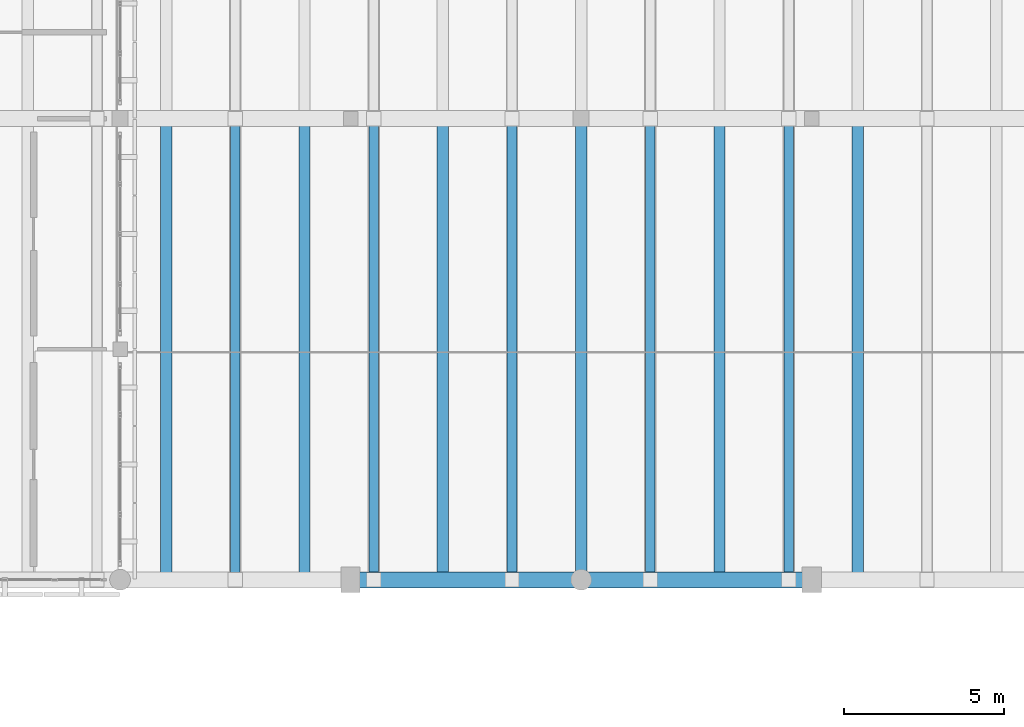
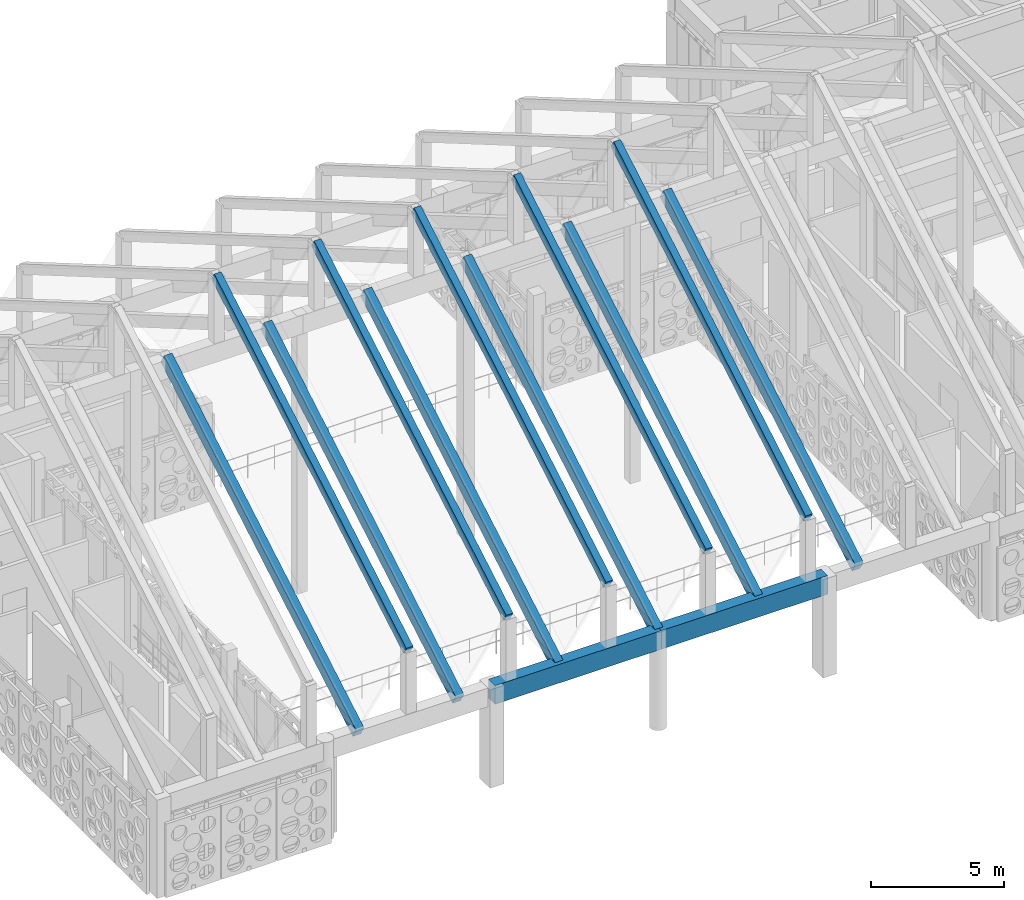
# One storey, part 20 of 171: 13 beams.
"""IFC4 building model written with IfcOpenShell, lengths in metres."""

import ifcopenshell
import ifcopenshell.guid

model = None  # the IFC model being written
_history = None  # IfcOwnerHistory: only IFC2X3 demands one
_inside = {}  # id of a spatial element -> (the spatial element, [elements in it])
_under = {}  # id of a project, library or spatial element -> (it, [spatial elements below it])
_declared = {}  # id of a project -> (the project, [libraries it declares])
_typed = {}  # id of a type object -> (the type object, [elements of that type])
_made_of = {}  # id of a material, layer set ... -> (it, [elements and type objects made of it])


def new_model(schema):
    """Start an empty IFC model of exactly this schema.

    Asked for "IFC4X3", IfcOpenShell would pick the latest addendum, in which some entities
    have other attributes; the version numbers below select the first issue.
    IFC2X3 requires an IfcOwnerHistory on every rooted entity: one is made here for all.
    """
    global model, _history
    if schema == "IFC4X3":
        model = ifcopenshell.file(schema_version=(4, 3, 0, 0))
    else:
        model = ifcopenshell.file(schema=schema)
    _inside.clear()
    _under.clear()
    _declared.clear()
    _typed.clear()
    _made_of.clear()
    _history = None
    if model.schema == "IFC2X3":
        org = make("IfcOrganization", Name="unknown")
        user = make(
            "IfcPersonAndOrganization",
            ThePerson=make("IfcPerson", FamilyName="unknown"),
            TheOrganization=org,
        )
        app = make(
            "IfcApplication",
            ApplicationDeveloper=org,
            Version="unknown",
            ApplicationFullName="unknown",
            ApplicationIdentifier="unknown",
        )
        _history = make(
            "IfcOwnerHistory",
            OwningUser=user,
            OwningApplication=app,
            ChangeAction="ADDED",
            CreationDate=0,
        )
    return model


def make(cls, **values):
    """One entity of the class cls with the attributes given. An attribute that is None is left unset."""
    return model.create_entity(
        cls, **{name: value for name, value in values.items() if value is not None}
    )


def rooted(cls, **values):
    """An entity with a GlobalId (a new one), such as an element, a storey or a relation."""
    return make(cls, GlobalId=ifcopenshell.guid.new(), OwnerHistory=_history, **values)


def si_unit(unit_type, name, prefix=None):
    """IfcSIUnit, for example si_unit("LENGTHUNIT", "METRE", prefix="MILLI")."""
    return make("IfcSIUnit", UnitType=unit_type, Prefix=prefix, Name=name)


def assignment(units):
    """IfcUnitAssignment: the units of a project."""
    return None if units is None else make("IfcUnitAssignment", Units=units)


def point(xyz):
    """IfcCartesianPoint."""
    return None if xyz is None else make("IfcCartesianPoint", Coordinates=xyz)


def direction(xyz):
    """IfcDirection."""
    return None if xyz is None else make("IfcDirection", DirectionRatios=xyz)


def frame(location, z_axis=None, x_axis=None):
    """IfcAxis2Placement3D, a coordinate frame: its origin and axes. An axis left out is left unset."""
    return make(
        "IfcAxis2Placement3D",
        Location=point(location),
        Axis=direction(z_axis),
        RefDirection=direction(x_axis),
    )


def frame_2d(location, x_axis=None):
    """IfcAxis2Placement2D, a coordinate frame in the plane: its origin and x axis."""
    return make(
        "IfcAxis2Placement2D", Location=point(location), RefDirection=direction(x_axis)
    )


def origin():
    """The frame at (0, 0, 0) with its axes left unset."""
    return frame((0.0, 0.0, 0.0))


def origin_2d():
    """The frame at (0, 0) in the plane with its x axis left unset."""
    return frame_2d((0.0, 0.0))


def place(relative_to, where):
    """IfcLocalPlacement: puts the frame where relative to a parent placement (None: the world)."""
    return make(
        "IfcLocalPlacement", PlacementRelTo=relative_to, RelativePlacement=where
    )


def context(
    kind, dimensions, precision=None, world=None, true_north=None, identifier=None
):
    """IfcGeometricRepresentationContext, for example the 3D "Model" context."""
    return make(
        "IfcGeometricRepresentationContext",
        ContextIdentifier=identifier,
        ContextType=kind,
        CoordinateSpaceDimension=dimensions,
        Precision=precision,
        WorldCoordinateSystem=world,
        TrueNorth=true_north,
    )


def subcontext(parent, identifier, kind, view, scale=None):
    """IfcGeometricRepresentationSubContext, for example "Body" below "Model"."""
    return make(
        "IfcGeometricRepresentationSubContext",
        ContextIdentifier=identifier,
        ContextType=kind,
        ParentContext=parent,
        TargetScale=scale,
        TargetView=view,
    )


def project(units=None, contexts=None):
    """IfcProject with its units and contexts."""
    return rooted(
        "IfcProject",
        Name="project",
        RepresentationContexts=contexts,
        UnitsInContext=assignment(units),
    )


def spatial(cls, under=None, at=None, **own):
    """A site, building, storey or space (cls), placed at a placement, below another one or the project."""
    s = rooted(cls, ObjectPlacement=at, **own)
    if under is not None:
        _under.setdefault(under.id(), (under, []))[1].append(s)
    return s


def profile(cls, at=None, kind="AREA", **sizes):
    """A parametric profile (cls). Its sizes go by their IFC names, for example OverallWidth=200.0."""
    return make(cls, ProfileType=kind, Position=at, **sizes)


def rectangle(**sizes):
    """IfcRectangleProfileDef."""
    return profile("IfcRectangleProfileDef", **sizes)


def extrude(swept, where, along, depth):
    """IfcExtrudedAreaSolid: the profile swept, set in the frame where, extruded along a direction by depth."""
    return make(
        "IfcExtrudedAreaSolid",
        SweptArea=swept,
        Position=where,
        ExtrudedDirection=direction(along),
        Depth=depth,
    )


def shape(context_of_items, identifier, shape_type, items):
    """IfcShapeRepresentation: the items that make up one representation, for example the "Body"."""
    return make(
        "IfcShapeRepresentation",
        ContextOfItems=context_of_items,
        RepresentationIdentifier=identifier,
        RepresentationType=shape_type,
        Items=items,
    )


def material(Name=None, Category=None):
    """IfcMaterial."""
    return make("IfcMaterial", Name=Name, Category=Category)


def material_profile(
    of_material, cross_section, Name=None, Category=None, Priority=None
):
    """IfcMaterialProfile: a cross section and its material."""
    return make(
        "IfcMaterialProfile",
        Name=Name,
        Material=of_material,
        Profile=cross_section,
        Priority=Priority,
        Category=Category,
    )


def profile_set(profiles, Name=None, composite=None):
    """IfcMaterialProfileSet."""
    return make(
        "IfcMaterialProfileSet",
        Name=Name,
        MaterialProfiles=profiles,
        CompositeProfile=composite,
    )


def made_of(thing, what):
    """Note that an element or type object is made of a material, layer set ...; save() writes the relation."""
    if what is not None:
        _made_of.setdefault(what.id(), (what, []))[1].append(thing)
    return thing


def type_object(cls, material=None, **own):
    """A type object (cls), such as IfcWallType, which elements share."""
    return made_of(rooted(cls, **own), material)


def element(
    cls,
    number,
    at=None,
    inside=None,
    cuts=None,
    type_object=None,
    material=None,
    context=None,
    identifier="Body",
    shape_type=None,
    held_by="IfcProductDefinitionShape",
    body=None,
    shapes=None,
    **own,
):
    """One element of the class cls, such as IfcWall. Its Tag is "e" and its number.

    at: its placement. inside: the storey or other place that contains it. cuts: it is an
    opening in that element (IfcRelVoidsElement). A single representation is given by context,
    identifier, shape_type and body (its items); several are given by shapes. held_by: the class
    of the entity that holds the representations. save() writes the other relations.
    """
    e = rooted(cls, Tag="e%d" % number, ObjectPlacement=at, **own)
    if body is not None:
        shapes = [shape(context, identifier, shape_type, body)]
    if shapes is not None:
        e.Representation = make(held_by, Representations=shapes)
    if inside is not None:
        _inside.setdefault(inside.id(), (inside, []))[1].append(e)
    if cuts is not None:
        rooted(
            "IfcRelVoidsElement", RelatingBuildingElement=cuts, RelatedOpeningElement=e
        )
    if type_object is not None:
        _typed.setdefault(type_object.id(), (type_object, []))[1].append(e)
    return made_of(e, material)


def aggregate(whole, parts):
    """IfcRelAggregates: a whole, such as a stair, and the parts it consists of."""
    return rooted("IfcRelAggregates", RelatingObject=whole, RelatedObjects=parts)


def save(model, path):
    """Write the relations noted so far, then the file.

    IfcRelAggregates (storeys below a building ...), IfcRelContainedInSpatialStructure (elements
    in a storey), IfcRelDefinesByType, IfcRelAssociatesMaterial and IfcRelDeclares: one each for
    every whole, place, type object, material and project.
    """
    for whole, parts in _under.values():
        aggregate(whole, parts)
    for where, things in _inside.values():
        rooted(
            "IfcRelContainedInSpatialStructure",
            RelatedElements=things,
            RelatingStructure=where,
        )
    for kind, things in _typed.values():
        rooted("IfcRelDefinesByType", RelatedObjects=things, RelatingType=kind)
    for what, things in _made_of.values():
        rooted("IfcRelAssociatesMaterial", RelatedObjects=things, RelatingMaterial=what)
    for by, libraries in _declared.values():
        rooted("IfcRelDeclares", RelatingContext=by, RelatedDefinitions=libraries)
    model.write(path)


model = new_model("IFC4")

# Units and contexts
model_context = context("Model", 3, precision=1e-05, world=origin(), true_north=direction((0.0, 1.0)))
body_context = subcontext(model_context, "Body", "Model", "MODEL_VIEW")
ifc_project = project(units=[si_unit("LENGTHUNIT", "METRE"), si_unit("AREAUNIT", "SQUARE_METRE"), si_unit("VOLUMEUNIT", "CUBIC_METRE"), si_unit("PLANEANGLEUNIT", "RADIAN"), si_unit("MASSUNIT", "GRAM", prefix="KILO")], contexts=[model_context])

# Site, building, storey
site_placement = place(None, origin())
site = spatial("IfcSite", under=ifc_project, at=site_placement, CompositionType="ELEMENT")
building_placement = place(site_placement, origin())
building = spatial("IfcBuilding", under=site, at=building_placement, Name="Aldebral Square Health Centre", CompositionType="ELEMENT")
storey_placement = place(building_placement, frame((0.0, 0.0, 4.5)))
storey = spatial("IfcBuildingStorey", under=building, at=storey_placement, Name="L01", CompositionType="ELEMENT", Elevation=4.5)

# Beams
ifc_material = material(Name="Concrete C40/50", Category="concrete")
ifc_material_profile_1 = material_profile(ifc_material, rectangle(XDim=0.300048828125, YDim=0.419921875, at=origin_2d()), Name="RC 300x420")
ifc_profile_set_1 = profile_set([ifc_material_profile_1], Name="Concrete C40/50")
beam_type_1 = type_object("IfcBeamType", Name="BM-FP2", PredefinedType="BEAM", material=ifc_profile_set_1)
for number, where, z_axis, x_axis, name in (
    (1, (75.60009765625, 72.0, 7.25), (0.0, 0.863779963214, 0.503869204407), (-1.0, 0.0, 0.0), "Folded-plate south ridge rib 3"),
    (2, (79.919921875, 72.0, 7.25), (0.0, 0.863779963214, 0.503869204407), (-1.0, 0.0, 0.0), "Folded-plate south ridge rib 4"),
    (3, (84.239990234375, 72.0, 7.25), (0.0, 0.863779963214, 0.503869204407), (-1.0, 0.0, 0.0), "Folded-plate south ridge rib 5"),
    (4, (88.56005859375, 72.0, 7.25), (0.0, 0.863779963214, 0.503869204407), (-1.0, 0.0, 0.0), "Folded-plate south ridge rib 6"),
    (5, (92.8798828125, 72.0, 7.25), (0.0, 0.863779963214, 0.503869204407), (-1.0, 0.0, 0.0), "Folded-plate south ridge rib 7"),
):
    element("IfcBeam", number, at=place(storey_placement, frame(where, z_axis=z_axis, x_axis=x_axis)), inside=storey, type_object=beam_type_1, Name=name, PredefinedType="BEAM", context=body_context, shape_type="SweptSolid", body=[
        extrude(rectangle(XDim=0.300048828125, YDim=0.419921875, at=origin_2d()), origin(), (0.0, 0.0, 1.0), 16.6708984375),
    ])
ifc_material_profile_2 = material_profile(ifc_material, rectangle(XDim=0.5, YDim=0.85009765625, at=origin_2d()), Name="RC 500x850")
ifc_profile_set_2 = profile_set([ifc_material_profile_2], Name="Concrete C40/50")
beam_type_2 = type_object("IfcBeamType", Name="BM-G1", PredefinedType="T_BEAM", material=ifc_profile_set_2)
beam_1_placement = place(storey_placement, frame((79.199951171875, 72.0, 4.074951171875), z_axis=(1.0, 0.0, 0.0), x_axis=(0.0, 1.0, 0.0)))
element("IfcBeam", 6, at=beam_1_placement, inside=storey, type_object=beam_type_2, Name="Waiting Hall diaphragm girder EAVE-S 12", PredefinedType="T_BEAM", context=body_context, shape_type="SweptSolid", body=[
    extrude(rectangle(XDim=0.5, YDim=0.85009765625, at=origin_2d()), origin(), (0.0, 0.0, 1.0), 7.199951171875),
])
beam_2_placement = place(storey_placement, frame((86.39990234375, 72.0, 4.074951171875), z_axis=(1.0, 0.0, 0.0), x_axis=(0.0, 1.0, 0.0)))
element("IfcBeam", 7, at=beam_2_placement, inside=storey, type_object=beam_type_2, Name="Waiting Hall diaphragm girder EAVE-S 13", PredefinedType="T_BEAM", context=body_context, shape_type="SweptSolid", body=[
    extrude(rectangle(XDim=0.5, YDim=0.85009765625, at=origin_2d()), origin(), (0.0, 0.0, 1.0), 7.2001953125),
])
ifc_material_profile_3 = material_profile(ifc_material, rectangle(XDim=0.35009765625, YDim=0.5, at=origin_2d()), Name="RC 350x500")
ifc_profile_set_3 = profile_set([ifc_material_profile_3], Name="Concrete C40/50")
beam_type_3 = type_object("IfcBeamType", Name="BM-SP1", PredefinedType="SPANDREL", material=ifc_profile_set_3)
for number, where, z_axis, x_axis, name in (
    (8, (73.43994140625, 72.0, 4.25), (0.0, 0.863779963214, 0.503869204407), (-1.0, 0.0, 0.0), "Folded-plate south valley beam 3"),
    (9, (77.760009765625, 72.0, 4.25), (0.0, 0.863779963214, 0.503869204407), (-1.0, 0.0, 0.0), "Folded-plate south valley beam 4"),
    (10, (82.080078125, 72.0, 4.25), (0.0, 0.863779963214, 0.503869204407), (-1.0, 0.0, 0.0), "Folded-plate south valley beam 5"),
    (11, (86.39990234375, 72.0, 4.25), (0.0, 0.863779963214, 0.503869204407), (-1.0, 0.0, 0.0), "Folded-plate south valley beam 6"),
    (12, (90.719970703125, 72.0, 4.25), (0.0, 0.863779963214, 0.503869204407), (-1.0, 0.0, 0.0), "Folded-plate south valley beam 7"),
    (13, (95.0400390625, 72.0, 4.25), (0.0, 0.863779963214, 0.503869204407), (-1.0, 0.0, 0.0), "Folded-plate south valley beam 8"),
):
    element("IfcBeam", number, at=place(storey_placement, frame(where, z_axis=z_axis, x_axis=x_axis)), inside=storey, type_object=beam_type_3, Name=name, PredefinedType="SPANDREL", context=body_context, shape_type="SweptSolid", body=[
        extrude(rectangle(XDim=0.35009765625, YDim=0.5, at=origin_2d()), origin(), (0.0, 0.0, 1.0), 16.6708984375),
    ])

save(model, "model.ifc")
